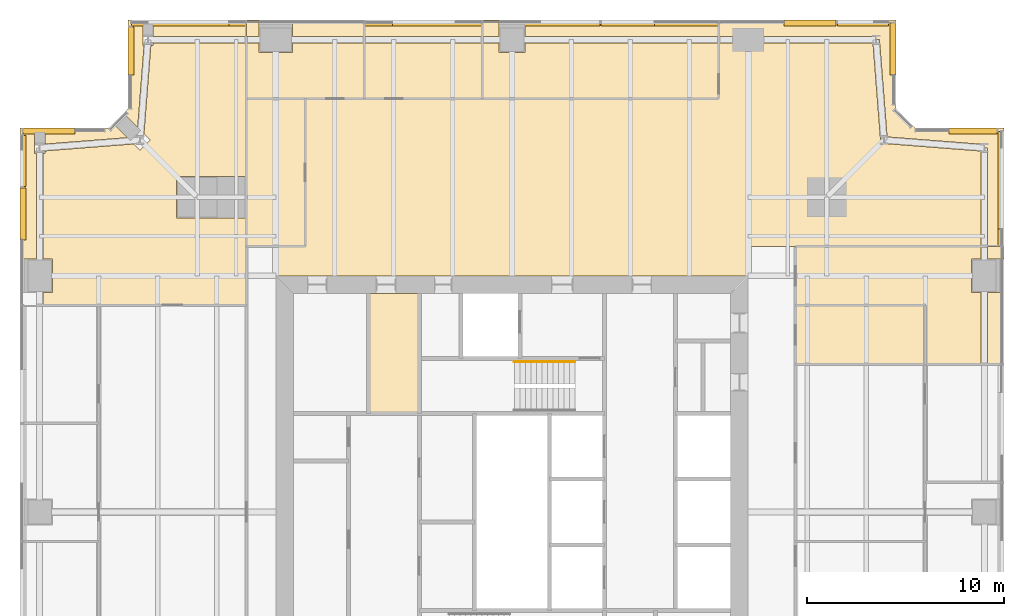
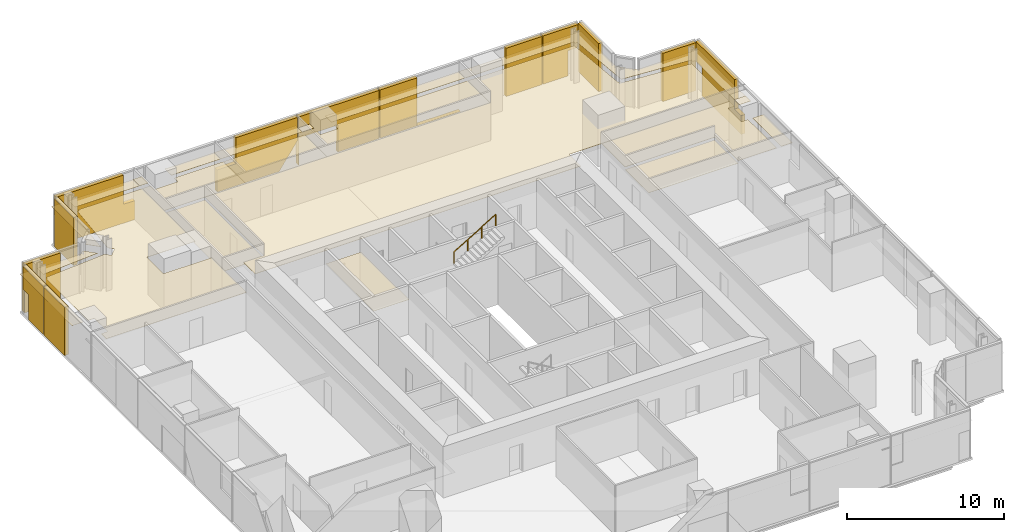
# One storey, part 16 of 16: 34 coverings, 1 railing.
"""IFC4 building model written with IfcOpenShell, lengths in metres."""

from ifc_helpers import new_model, si_unit, direction, frame, origin, origin_2d, place, context, subcontext, project, spatial, polyline, circle, outline, extrude, material, layer, layer_set, type_object, element, save


model = new_model("IFC4")

# Units and contexts
model_context = context("Model", 3, precision=1e-05, world=origin(), true_north=direction((0.0, 1.0)))
body_context = subcontext(model_context, "Body", "Model", "MODEL_VIEW")
ifc_project = project(units=[si_unit("LENGTHUNIT", "METRE"), si_unit("AREAUNIT", "SQUARE_METRE"), si_unit("VOLUMEUNIT", "CUBIC_METRE"), si_unit("PLANEANGLEUNIT", "RADIAN"), si_unit("MASSUNIT", "GRAM", prefix="KILO")], contexts=[model_context])

# Site, building, storey
site_placement = place(None, origin())
site = spatial("IfcSite", under=ifc_project, at=site_placement, CompositionType="ELEMENT")
building_placement = place(site_placement, origin())
building = spatial("IfcBuilding", under=site, at=building_placement, Name="Fenwick Lantern Interchange", CompositionType="ELEMENT")
storey_placement = place(building_placement, frame((0.0, 0.0, 177.800048828125)))
storey = spatial("IfcBuildingStorey", under=building, at=storey_placement, Name="L41", CompositionType="ELEMENT", Elevation=177.800048828125)

# Coverings
ifc_material_1 = material(Name="Mineral fibre acoustic tile on suspended grid")
ifc_layer_1 = layer(ifc_material_1, 0.02001953125)
ifc_layer_set_1 = layer_set([ifc_layer_1], Name="ACOUSTIC TILE CEILING 20")
covering_type_1 = type_object("IfcCoveringType", Name="ACOUSTIC TILE CEILING 20", PredefinedType="CEILING", material=ifc_layer_set_1)
covering_1_placement = place(storey_placement, frame((0.0, 0.0, 2.89990234375)))
element("IfcCovering", 1, at=covering_1_placement, inside=storey, type_object=covering_type_1, Name="Meeting room ceiling", PredefinedType="CEILING", context=body_context, shape_type="SweptSolid", body=[
    extrude(outline(polyline([(48.35009765625, 37.85009765625), (48.82763671875, 37.85009765625), (48.82763671875, 38.5), (39.39990234375, 38.5), (39.39990234375, 35.5), (46.0, 35.5), (46.0, 32.5), (48.82763671875, 32.5), (48.82763671875, 36.14990234375), (48.35009765625, 36.14990234375), (48.35009765625, 37.85009765625)])), origin(), (0.0, 0.0, 1.0), 0.02001953125),
])
covering_2_placement = place(storey_placement, frame((0.0, 0.0, 2.89990234375)))
element("IfcCovering", 2, at=covering_2_placement, inside=storey, type_object=covering_type_1, Name="Meeting room ceiling", PredefinedType="CEILING", context=body_context, shape_type="SweptSolid", body=[
    extrude(outline(polyline([(50.0, 36.14990234375), (49.17236328125, 36.14990234375), (49.17236328125, 32.5), (50.0, 32.5), (50.0, 36.14990234375)])), origin(), (0.0, 0.0, 1.0), 0.02001953125),
])
covering_3_placement = place(storey_placement, frame((0.0, 0.0, 2.89990234375)))
element("IfcCovering", 3, at=covering_3_placement, inside=storey, type_object=covering_type_1, Name="Meeting room ceiling", PredefinedType="CEILING", context=body_context, shape_type="SweptSolid", body=[
    extrude(outline(polyline([(49.17236328125, 37.85009765625), (50.0, 37.85009765625), (50.0, 38.5), (49.17236328125, 38.5), (49.17236328125, 37.85009765625)])), origin(), (0.0, 0.0, 1.0), 0.02001953125),
])
covering_4_placement = place(storey_placement, frame((0.0, 0.0, 2.89990234375)))
element("IfcCovering", 4, at=covering_4_placement, inside=storey, type_object=covering_type_1, Name="Open office ceiling", PredefinedType="CEILING", context=body_context, shape_type="SweptSolid", body=[
    extrude(outline(polyline([(37.0, 38.5), (48.82763671875, 38.5), (48.82763671875, 43.340576171875), (43.886474609375, 43.72802734375), (43.89990234375, 43.89990234375), (43.72802734375, 43.886474609375), (43.340576171875, 48.82763671875), (37.0, 48.82763671875), (35.5, 48.82763671875), (35.5, 46.0), (14.5, 46.0), (14.5, 38.5), (13.0, 38.5), (13.0, 37.0), (37.0, 37.0), (37.0, 38.5)])), origin(), (0.0, 0.0, 1.0), 0.02001953125),
])
covering_5_placement = place(storey_placement, frame((0.0, 0.0, 2.89990234375)))
element("IfcCovering", 5, at=covering_5_placement, inside=storey, type_object=covering_type_1, Name="Open office ceiling", PredefinedType="CEILING", context=body_context, shape_type="SweptSolid", body=[
    extrude(outline(polyline([(49.17236328125, 38.5), (50.0, 38.5), (50.0, 44.5), (45.5, 44.5), (44.5, 45.5), (44.5, 50.0), (35.5, 50.0), (35.5, 49.17236328125), (37.0, 49.17236328125), (43.5, 49.17236328125), (43.5, 49.0), (43.671875, 49.013427734375), (44.060302734375, 44.060302734375), (49.013427734375, 43.671875), (49.0, 43.5), (49.17236328125, 43.5), (49.17236328125, 38.5)])), origin(), (0.0, 0.0, 1.0), 0.02001953125),
])
covering_6_placement = place(storey_placement, frame((0.0, 0.0, 2.89990234375)))
element("IfcCovering", 6, at=covering_6_placement, inside=storey, type_object=covering_type_1, Name="Board meeting room ceiling", PredefinedType="CEILING", context=body_context, shape_type="SweptSolid", body=[
    extrude(outline(polyline([(23.5, 46.0), (35.5, 46.0), (35.5, 48.82763671875), (25.64990234375, 48.82763671875), (25.64990234375, 48.35009765625), (24.35009765625, 48.35009765625), (24.35009765625, 48.82763671875), (23.5, 48.82763671875), (23.5, 46.0)])), origin(), (0.0, 0.0, 1.0), 0.02001953125),
])
covering_7_placement = place(storey_placement, frame((0.0, 0.0, 2.89990234375)))
element("IfcCovering", 7, at=covering_7_placement, inside=storey, type_object=covering_type_1, Name="Board meeting room ceiling", PredefinedType="CEILING", context=body_context, shape_type="SweptSolid", body=[
    extrude(outline(polyline([(25.64990234375, 50.0), (25.64990234375, 49.17236328125), (35.5, 49.17236328125), (35.5, 50.0), (25.64990234375, 50.0)])), origin(), (0.0, 0.0, 1.0), 0.02001953125),
])
covering_8_placement = place(storey_placement, frame((0.0, 0.0, 2.89990234375)))
element("IfcCovering", 8, at=covering_8_placement, inside=storey, type_object=covering_type_1, Name="Board meeting room ceiling", PredefinedType="CEILING", context=body_context, shape_type="SweptSolid", body=[
    extrude(outline(polyline([(23.5, 50.0), (23.5, 49.17236328125), (24.35009765625, 49.17236328125), (24.35009765625, 50.0), (23.5, 50.0)])), origin(), (0.0, 0.0, 1.0), 0.02001953125),
])
covering_9_placement = place(storey_placement, frame((0.0, 0.0, 2.89990234375)))
element("IfcCovering", 9, at=covering_9_placement, inside=storey, type_object=covering_type_1, Name="Office ceiling", PredefinedType="CEILING", context=body_context, shape_type="SweptSolid", body=[
    extrude(outline(polyline([(23.5, 46.0), (23.5, 48.82763671875), (17.5, 48.82763671875), (17.5, 46.0), (23.5, 46.0)])), origin(), (0.0, 0.0, 1.0), 0.02001953125),
])
covering_10_placement = place(storey_placement, frame((0.0, 0.0, 2.89990234375)))
element("IfcCovering", 10, at=covering_10_placement, inside=storey, type_object=covering_type_1, Name="Office ceiling", PredefinedType="CEILING", context=body_context, shape_type="SweptSolid", body=[
    extrude(outline(polyline([(17.5, 50.0), (17.5, 49.17236328125), (23.5, 49.17236328125), (23.5, 50.0), (17.5, 50.0)])), origin(), (0.0, 0.0, 1.0), 0.02001953125),
])
covering_11_placement = place(storey_placement, frame((0.0, 0.0, 2.89990234375)))
element("IfcCovering", 11, at=covering_11_placement, inside=storey, type_object=covering_type_1, Name="Office ceiling", PredefinedType="CEILING", context=body_context, shape_type="SweptSolid", body=[
    extrude(outline(polyline([(17.5, 46.0), (17.5, 48.82763671875), (13.85009765625, 48.82763671875), (13.85009765625, 48.35009765625), (12.14990234375, 48.35009765625), (12.14990234375, 48.82763671875), (11.5, 48.82763671875), (11.5, 46.0), (17.5, 46.0)])), origin(), (0.0, 0.0, 1.0), 0.02001953125),
])
covering_12_placement = place(storey_placement, frame((0.0, 0.0, 2.89990234375)))
element("IfcCovering", 12, at=covering_12_placement, inside=storey, type_object=covering_type_1, Name="Office ceiling", PredefinedType="CEILING", context=body_context, shape_type="SweptSolid", body=[
    extrude(outline(polyline([(17.5, 49.17236328125), (17.5, 50.0), (13.85009765625, 50.0), (13.85009765625, 49.17236328125), (17.5, 49.17236328125)])), origin(), (0.0, 0.0, 1.0), 0.02001953125),
])
covering_13_placement = place(storey_placement, frame((0.0, 0.0, 2.89990234375)))
element("IfcCovering", 13, at=covering_13_placement, inside=storey, type_object=covering_type_1, Name="Office ceiling", PredefinedType="CEILING", context=body_context, shape_type="SweptSolid", body=[
    extrude(outline(polyline([(11.5, 50.0), (11.5, 49.17236328125), (12.14990234375, 49.17236328125), (12.14990234375, 50.0), (11.5, 50.0)])), origin(), (0.0, 0.0, 1.0), 0.02001953125),
])
covering_14_placement = place(storey_placement, frame((0.0, 0.0, 2.89990234375)))
element("IfcCovering", 14, at=covering_14_placement, inside=storey, type_object=covering_type_1, Name="Executive office ceiling", PredefinedType="CEILING", context=body_context, shape_type="SweptSolid", body=[
    extrude(outline(polyline([(6.76220703125, 48.71240234375), (6.650390625, 48.71240234375), (6.298095703125, 44.22216796875), (6.620361328125, 43.89990234375), (6.10009765625, 43.379638671875), (5.77783203125, 43.701904296875), (1.26220703125, 43.34765625), (1.26220703125, 43.21240234375), (1.17236328125, 43.21240234375), (1.17236328125, 37.85009765625), (1.64990234375, 37.85009765625), (1.64990234375, 36.14990234375), (1.17236328125, 36.14990234375), (1.17236328125, 35.5), (11.5, 35.5), (11.5, 39.949951171875), (7.949951171875, 39.949951171875), (7.949951171875, 42.050048828125), (11.5, 42.050048828125), (11.5, 48.82763671875), (6.76220703125, 48.82763671875), (6.76220703125, 48.71240234375)])), origin(), (0.0, 0.0, 1.0), 0.02001953125),
])
covering_15_placement = place(storey_placement, frame((0.0, 0.0, 2.89990234375)))
element("IfcCovering", 15, at=covering_15_placement, inside=storey, type_object=covering_type_1, Name="Executive office ceiling", PredefinedType="CEILING", context=body_context, shape_type="SweptSolid", body=[
    extrude(outline(polyline([(0.0, 37.85009765625), (0.82763671875, 37.85009765625), (0.82763671875, 43.21240234375), (0.73779296875, 43.21240234375), (0.73779296875, 44.5), (0.0, 44.5), (0.0, 37.85009765625)])), origin(), (0.0, 0.0, 1.0), 0.02001953125),
])
covering_16_placement = place(storey_placement, frame((0.0, 0.0, 2.89990234375)))
element("IfcCovering", 16, at=covering_16_placement, inside=storey, type_object=covering_type_1, Name="Executive office ceiling", PredefinedType="CEILING", context=body_context, shape_type="SweptSolid", body=[
    extrude(outline(polyline([(6.76220703125, 50.0), (6.76220703125, 49.17236328125), (11.5, 49.17236328125), (11.5, 50.0), (6.76220703125, 50.0)])), origin(), (0.0, 0.0, 1.0), 0.02001953125),
])
covering_17_placement = place(storey_placement, frame((0.0, 0.0, 2.89990234375)))
element("IfcCovering", 17, at=covering_17_placement, inside=storey, type_object=covering_type_1, Name="Executive office ceiling", PredefinedType="CEILING", context=body_context, shape_type="SweptSolid", body=[
    extrude(outline(polyline([(6.304443359375, 48.71240234375), (6.23779296875, 48.71240234375), (6.23779296875, 50.0), (5.5, 50.0), (5.5, 45.5), (5.26025390625, 45.26025390625), (5.9775390625, 44.542724609375), (6.304443359375, 48.71240234375)])), origin(), (0.0, 0.0, 1.0), 0.02001953125),
])
covering_18_placement = place(storey_placement, frame((0.0, 0.0, 2.89990234375)))
element("IfcCovering", 18, at=covering_18_placement, inside=storey, type_object=covering_type_1, Name="Executive office ceiling", PredefinedType="CEILING", context=body_context, shape_type="SweptSolid", body=[
    extrude(outline(polyline([(1.26220703125, 44.5), (1.26220703125, 43.693603515625), (5.457275390625, 44.0224609375), (4.73974609375, 44.73974609375), (4.5, 44.5), (1.26220703125, 44.5)])), origin(), (0.0, 0.0, 1.0), 0.02001953125),
])
ifc_material_2 = material(Name="Granite cladding, warm grey flamed finish, on aluminium carrier frame", Category="masonry")
ifc_layer_2 = layer(ifc_material_2, 0.300048828125)
ifc_layer_set_2 = layer_set([ifc_layer_2], Name="BRACE CASING PANEL 300")
covering_type_2 = type_object("IfcCoveringType", Name="BRACE CASING PANEL 300", PredefinedType="CLADDING", material=ifc_layer_set_2)
covering_19_placement = place(storey_placement, frame((49.89990234375, 5.60009765625, 0.0), z_axis=(0.0, 0.0, 1.0), x_axis=(0.0, 1.0, 0.0)))
element("IfcCovering", 19, at=covering_19_placement, inside=storey, type_object=covering_type_2, Name="Brace casing 05 bay 06a", PredefinedType="CLADDING", context=body_context, shape_type="SweptSolid", body=[
    extrude(outline(polyline([(32.9326171875, 0.0), (37.902587890625, 0.0), (37.902587890625, 2.2333984375), (38.735107421875, 2.2333984375), (38.735107421875, 3.75), (33.777587890625, 3.75), (33.777587890625, 1.468017578125), (32.9326171875, 1.468017578125), (32.9326171875, 0.0)])), frame((0.0, 0.2001953125, 0.0), z_axis=(0.0, -1.0, 0.0), x_axis=(1.0, 0.0, 0.0)), (0.0, 0.0, 1.0), 0.300048828125),
])
covering_20_placement = place(storey_placement, frame((49.89990234375, 44.39990234375, 0.0), z_axis=(0.0, 0.0, 1.0), x_axis=(-1.0, 0.0, 0.0)))
element("IfcCovering", 20, at=covering_20_placement, inside=storey, type_object=covering_type_2, Name="Brace casing 06 bay 00a", PredefinedType="CLADDING", context=body_context, shape_type="SweptSolid", body=[
    extrude(outline(polyline([(0.264892578125, 0.0), (2.699951171875, 0.0), (2.699951171875, 3.75), (0.264892578125, 3.75), (0.264892578125, 0.0)])), frame((0.0, 0.2001953125, 0.0), z_axis=(0.0, -1.0, 0.0), x_axis=(1.0, 0.0, 0.0)), (0.0, 0.0, 1.0), 0.300048828125),
])
covering_21_placement = place(storey_placement, frame((44.39990234375, 45.45849609375, 0.0), z_axis=(0.0, 0.0, 1.0), x_axis=(0.0, 1.0, 0.0)))
element("IfcCovering", 21, at=covering_21_placement, inside=storey, type_object=covering_type_2, Name="Brace casing 08 bay 00a", PredefinedType="CLADDING", context=body_context, shape_type="SweptSolid", body=[
    extrude(outline(polyline([(1.741455078125, 0.0), (4.37646484375, 0.0), (4.37646484375, 3.75), (1.741455078125, 3.75), (1.741455078125, 0.0)])), frame((0.0, 0.2001953125, 0.0), z_axis=(0.0, -1.0, 0.0), x_axis=(1.0, 0.0, 0.0)), (0.0, 0.0, 1.0), 0.300048828125),
])
covering_22_placement = place(storey_placement, frame((44.39990234375, 49.89990234375, 0.0), z_axis=(0.0, 0.0, 1.0), x_axis=(-1.0, 0.0, 0.0)))
element("IfcCovering", 22, at=covering_22_placement, inside=storey, type_object=covering_type_2, Name="Brace casing 09 bay 00a", PredefinedType="CLADDING", context=body_context, shape_type="SweptSolid", body=[
    extrude(outline(polyline([(0.9951171875, 0.0), (2.867431640625, 0.0), (2.867431640625, 3.75), (0.264892578125, 3.75), (0.264892578125, 1.970947265625), (0.9951171875, 1.970947265625), (0.9951171875, 0.0)])), frame((0.0, 0.2001953125, 0.0), z_axis=(0.0, -1.0, 0.0), x_axis=(1.0, 0.0, 0.0)), (0.0, 0.0, 1.0), 0.300048828125),
])
covering_23_placement = place(storey_placement, frame((44.39990234375, 49.89990234375, 0.0), z_axis=(0.0, 0.0, 1.0), x_axis=(-1.0, 0.0, 0.0)))
element("IfcCovering", 23, at=covering_23_placement, inside=storey, type_object=covering_type_2, Name="Brace casing 09 bay 01a", PredefinedType="CLADDING", context=body_context, shape_type="SweptSolid", body=[
    extrude(outline(polyline([(2.9326171875, 0.0), (5.5693359375, 0.0), (5.5693359375, 3.75), (2.9326171875, 3.75), (2.9326171875, 0.0)])), frame((0.0, 0.2001953125, 0.0), z_axis=(0.0, -1.0, 0.0), x_axis=(1.0, 0.0, 0.0)), (0.0, 0.0, 1.0), 0.300048828125),
])
covering_24_placement = place(storey_placement, frame((44.39990234375, 49.89990234375, 0.0), z_axis=(0.0, 0.0, 1.0), x_axis=(-1.0, 0.0, 0.0)))
element("IfcCovering", 24, at=covering_24_placement, inside=storey, type_object=covering_type_2, Name="Brace casing 09 bay 02a", PredefinedType="CLADDING", context=body_context, shape_type="SweptSolid", body=[
    extrude(outline(polyline([(8.9326171875, 0.0), (14.867431640625, 0.0), (14.867431640625, 3.75), (12.1474609375, 3.75), (12.1474609375, 0.004638671875), (8.9326171875, 0.004638671875), (8.9326171875, 0.0)])), frame((0.0, 0.2001953125, 0.0), z_axis=(0.0, -1.0, 0.0), x_axis=(1.0, 0.0, 0.0)), (0.0, 0.0, 1.0), 0.300048828125),
])
covering_25_placement = place(storey_placement, frame((44.39990234375, 49.89990234375, 0.0), z_axis=(0.0, 0.0, 1.0), x_axis=(-1.0, 0.0, 0.0)))
element("IfcCovering", 25, at=covering_25_placement, inside=storey, type_object=covering_type_2, Name="Brace casing 09 bay 03a", PredefinedType="CLADDING", context=body_context, shape_type="SweptSolid", body=[
    extrude(outline(polyline([(14.9326171875, 0.0), (17.955078125, 0.0), (17.955078125, 2.10595703125), (20.84521484375, 2.10595703125), (20.84521484375, 0.0), (20.867431640625, 0.0), (20.867431640625, 3.75), (14.9326171875, 3.75), (14.9326171875, 0.0)])), frame((0.0, 0.2001953125, 0.0), z_axis=(0.0, -1.0, 0.0), x_axis=(1.0, 0.0, 0.0)), (0.0, 0.0, 1.0), 0.300048828125),
])
covering_26_placement = place(storey_placement, frame((44.39990234375, 49.89990234375, 0.0), z_axis=(0.0, 0.0, 1.0), x_axis=(-1.0, 0.0, 0.0)))
element("IfcCovering", 26, at=covering_26_placement, inside=storey, type_object=covering_type_2, Name="Brace casing 09 bay 04a", PredefinedType="CLADDING", context=body_context, shape_type="SweptSolid", body=[
    extrude(outline(polyline([(22.289794921875, 0.0), (26.867431640625, 0.0), (26.867431640625, 1.723876953125), (25.472900390625, 1.723876953125), (25.472900390625, 3.75), (20.9326171875, 3.75), (20.9326171875, 1.978515625), (22.289794921875, 0.0)])), frame((0.0, 0.2001953125, 0.0), z_axis=(0.0, -1.0, 0.0), x_axis=(1.0, 0.0, 0.0)), (0.0, 0.0, 1.0), 0.300048828125),
])
covering_27_placement = place(storey_placement, frame((44.39990234375, 49.89990234375, 0.0), z_axis=(0.0, 0.0, 1.0), x_axis=(-1.0, 0.0, 0.0)))
element("IfcCovering", 27, at=covering_27_placement, inside=storey, type_object=covering_type_2, Name="Brace casing 09 bay 06a", PredefinedType="CLADDING", context=body_context, shape_type="SweptSolid", body=[
    extrude(outline(polyline([(32.9326171875, 0.0), (37.902587890625, 0.0), (37.902587890625, 2.2333984375), (38.735107421875, 2.2333984375), (38.735107421875, 3.75), (33.777587890625, 3.75), (33.777587890625, 1.468017578125), (32.9326171875, 1.468017578125), (32.9326171875, 0.0)])), frame((0.0, 0.2001953125, 0.0), z_axis=(0.0, -1.0, 0.0), x_axis=(1.0, 0.0, 0.0)), (0.0, 0.0, 1.0), 0.300048828125),
])
covering_28_placement = place(storey_placement, frame((5.60009765625, 49.89990234375, 0.0), z_axis=(0.0, 0.0, 1.0), x_axis=(0.0, -1.0, 0.0)))
element("IfcCovering", 28, at=covering_28_placement, inside=storey, type_object=covering_type_2, Name="Brace casing 10 bay 00a", PredefinedType="CLADDING", context=body_context, shape_type="SweptSolid", body=[
    extrude(outline(polyline([(0.264892578125, 0.0), (2.699951171875, 0.0), (2.699951171875, 3.75), (0.264892578125, 3.75), (0.264892578125, 0.0)])), frame((0.0, 0.2001953125, 0.0), z_axis=(0.0, -1.0, 0.0), x_axis=(1.0, 0.0, 0.0)), (0.0, 0.0, 1.0), 0.300048828125),
])
covering_29_placement = place(storey_placement, frame((4.54150390625, 44.39990234375, 0.0), z_axis=(0.0, 0.0, 1.0), x_axis=(-1.0, 0.0, 0.0)))
element("IfcCovering", 29, at=covering_29_placement, inside=storey, type_object=covering_type_2, Name="Brace casing 12 bay 00a", PredefinedType="CLADDING", context=body_context, shape_type="SweptSolid", body=[
    extrude(outline(polyline([(1.741455078125, 0.0), (4.37646484375, 0.0), (4.37646484375, 3.75), (1.741455078125, 3.75), (1.741455078125, 0.0)])), frame((0.0, 0.2001953125, 0.0), z_axis=(0.0, -1.0, 0.0), x_axis=(1.0, 0.0, 0.0)), (0.0, 0.0, 1.0), 0.300048828125),
])
covering_30_placement = place(storey_placement, frame((0.10009765625, 44.39990234375, 0.0), z_axis=(0.0, 0.0, 1.0), x_axis=(0.0, -1.0, 0.0)))
element("IfcCovering", 30, at=covering_30_placement, inside=storey, type_object=covering_type_2, Name="Brace casing 13 bay 00a", PredefinedType="CLADDING", context=body_context, shape_type="SweptSolid", body=[
    extrude(outline(polyline([(0.9951171875, 0.0), (2.867431640625, 0.0), (2.867431640625, 3.75), (0.264892578125, 3.75), (0.264892578125, 1.970947265625), (0.9951171875, 1.970947265625), (0.9951171875, 0.0)])), frame((0.0, 0.2001953125, 0.0), z_axis=(0.0, -1.0, 0.0), x_axis=(1.0, 0.0, 0.0)), (0.0, 0.0, 1.0), 0.300048828125),
])
covering_31_placement = place(storey_placement, frame((0.10009765625, 44.39990234375, 0.0), z_axis=(0.0, 0.0, 1.0), x_axis=(0.0, -1.0, 0.0)))
element("IfcCovering", 31, at=covering_31_placement, inside=storey, type_object=covering_type_2, Name="Brace casing 13 bay 01a", PredefinedType="CLADDING", context=body_context, shape_type="SweptSolid", body=[
    extrude(outline(polyline([(2.9326171875, 0.0), (5.5693359375, 0.0), (5.5693359375, 3.75), (2.9326171875, 3.75), (2.9326171875, 0.0)])), frame((0.0, 0.2001953125, 0.0), z_axis=(0.0, -1.0, 0.0), x_axis=(1.0, 0.0, 0.0)), (0.0, 0.0, 1.0), 0.300048828125),
])

# Railing
ifc_material_3 = material(Name="Stainless steel handrail", Category="steel")
railing_type = type_object("IfcRailingType", Name="HANDRAIL 900", PredefinedType="HANDRAIL", material=ifc_material_3)
railing_placement = place(storey_placement, frame((25.1201171875, 32.6259765625, 2.16650390625)))
element("IfcRailing", 32, at=railing_placement, inside=storey, type_object=railing_type, Name="L41/STAIR/ST2/HR2", PredefinedType="HANDRAIL", context=body_context, shape_type="SweptSolid", body=[
    extrude(circle(Radius=0.02392578125, at=origin_2d()), frame((0.0, 0.0, 0.8759765625), z_axis=(0.859260807169, 0.0, 0.511537745687), x_axis=(0.0, 1.0, 0.0)), (0.0, 0.0, 1.0), 3.584228515625),
    extrude(circle(Radius=0.02099609375, at=origin_2d()), origin(), (0.0, 0.0, 1.0), 0.851806640625),
    extrude(circle(Radius=0.02099609375, at=origin_2d()), frame((1.026611328125, 0.0, 0.611083984375)), (0.0, 0.0, 1.0), 0.851806640625),
    extrude(circle(Radius=0.02099609375, at=origin_2d()), frame((2.05322265625, 0.0, 1.222412109375)), (0.0, 0.0, 1.0), 0.851806640625),
    extrude(circle(Radius=0.02099609375, at=origin_2d()), frame((3.079833984375, 0.0, 1.83349609375)), (0.0, 0.0, 1.0), 0.851806640625),
])

# Coverings
ifc_material_4 = material(Name="Moisture resistant gypsum board on suspended frame, painted")
ifc_layer_3 = layer(ifc_material_4, 0.014892578125)
ifc_layer_set_3 = layer_set([ifc_layer_3], Name="MOISTURE RESISTANT CEILING 15")
covering_type_3 = type_object("IfcCoveringType", Name="MOISTURE RESISTANT CEILING 15", PredefinedType="CEILING", material=ifc_layer_set_3)
covering_32_placement = place(storey_placement, frame((0.0, 0.0, 2.599853515625)))
element("IfcCovering", 33, at=covering_32_placement, inside=storey, type_object=covering_type_3, Name="Men's WC ceiling", PredefinedType="CEILING", context=body_context, shape_type="SweptSolid", body=[
    extrude(outline(polyline([(20.300048828125, 36.10009765625), (17.699951171875, 36.10009765625), (17.699951171875, 30.0), (20.300048828125, 30.0), (20.300048828125, 36.10009765625)])), origin(), (0.0, 0.0, 1.0), 0.01513671875),
])
covering_33_placement = place(storey_placement, frame((0.0, 0.0, 2.699951171875)))
element("IfcCovering", 34, at=covering_33_placement, inside=storey, type_object=covering_type_3, Name="Pantry ceiling", PredefinedType="CEILING", context=body_context, shape_type="SweptSolid", body=[
    extrude(outline(polyline([(46.0, 32.5), (46.0, 35.5), (39.39990234375, 35.5), (39.39990234375, 32.5), (46.0, 32.5)])), origin(), (0.0, 0.0, 1.0), 0.014892578125),
])
ifc_material_5 = material(Name="Gypsum plasterboard on suspended frame, painted")
ifc_layer_4 = layer(ifc_material_5, 0.014892578125)
ifc_layer_set_4 = layer_set([ifc_layer_4], Name="PLASTERBOARD CEILING 15")
covering_type_4 = type_object("IfcCoveringType", Name="PLASTERBOARD CEILING 15", PredefinedType="CEILING", material=ifc_layer_set_4)
covering_34_placement = place(storey_placement, frame((0.0, 0.0, 2.699951171875)))
element("IfcCovering", 35, at=covering_34_placement, inside=storey, type_object=covering_type_4, Name="Wellness room ceiling", PredefinedType="CEILING", context=body_context, shape_type="SweptSolid", body=[
    extrude(outline(polyline([(14.5, 46.0), (11.5, 46.0), (11.5, 38.5), (14.5, 38.5), (14.5, 46.0)])), origin(), (0.0, 0.0, 1.0), 0.014892578125),
])

save(model, "model.ifc")
